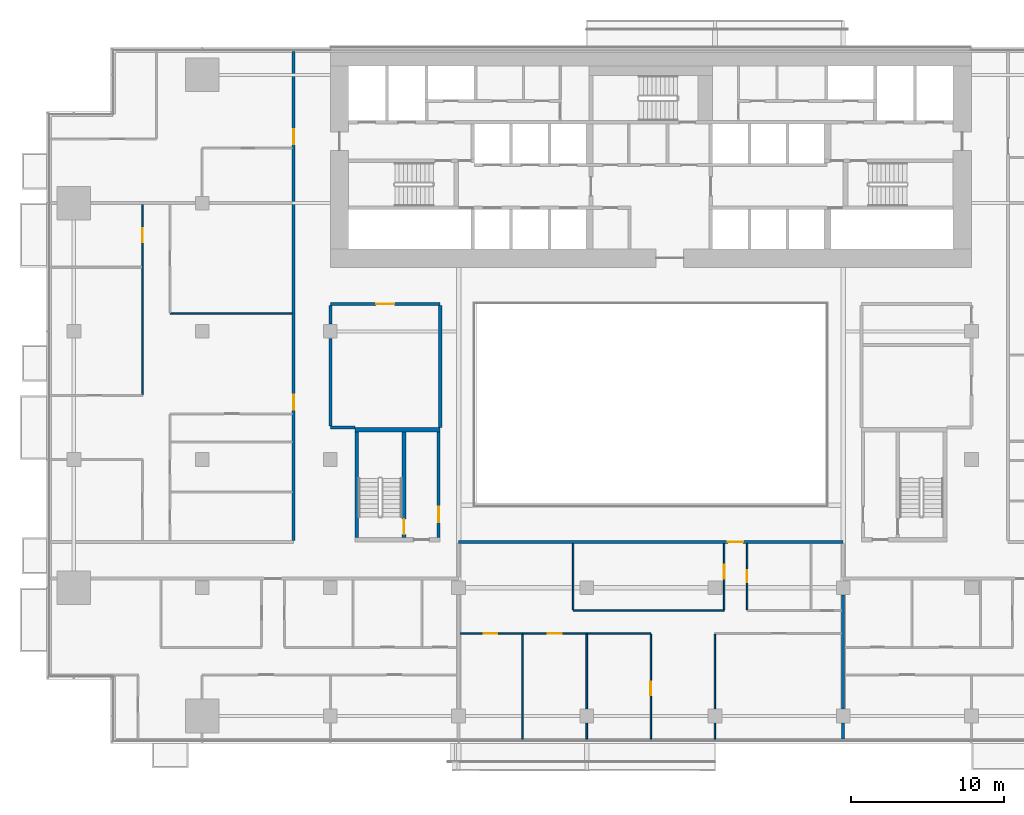
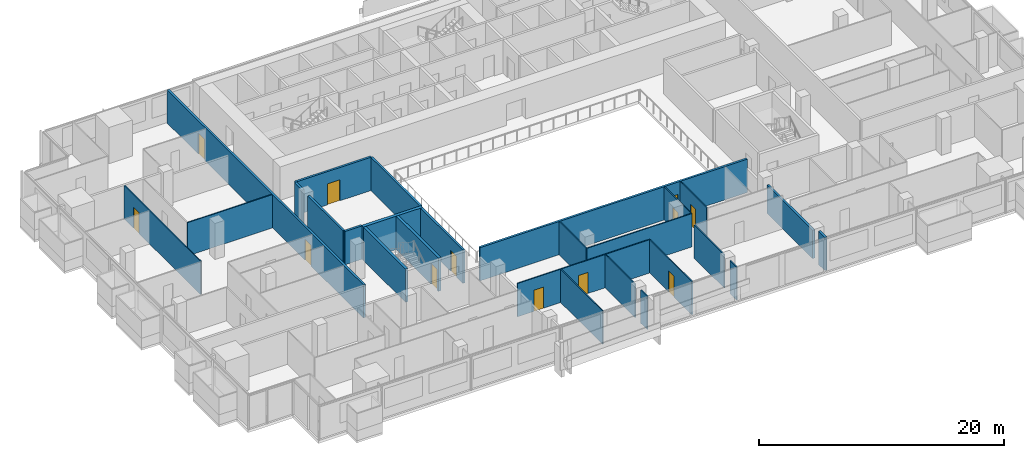
# One storey, part 19 of 27: 26 walls, 12 doors, 12 openings.
"""IFC4 building model written with IfcOpenShell, lengths in metres."""

from ifc_helpers import new_model, si_unit, direction, frame, frame_2d, origin, place, context, subcontext, project, spatial, rectangle, extrude, material, layer, layer_set, type_object, element, fill, save


model = new_model("IFC4")

# Units and contexts
model_context = context("Model", 3, precision=1e-05, world=origin(), true_north=direction((0.0, 1.0)))
body_context = subcontext(model_context, "Body", "Model", "MODEL_VIEW")
ifc_project = project(units=[si_unit("LENGTHUNIT", "METRE"), si_unit("AREAUNIT", "SQUARE_METRE"), si_unit("VOLUMEUNIT", "CUBIC_METRE"), si_unit("PLANEANGLEUNIT", "RADIAN"), si_unit("MASSUNIT", "GRAM", prefix="KILO")], contexts=[model_context])

# Site, building, storey
site_placement = place(None, origin())
site = spatial("IfcSite", under=ifc_project, at=site_placement, CompositionType="ELEMENT")
building_placement = place(site_placement, origin())
building = spatial("IfcBuilding", under=site, at=building_placement, Name="Saffron Gate Tower", CompositionType="ELEMENT")
storey_placement = place(building_placement, frame((0.0, 0.0, 40.800048828125)))
storey = spatial("IfcBuildingStorey", under=building, at=storey_placement, Name="L08", CompositionType="ELEMENT", Elevation=40.800048828125)

# Wall, opening, door
ifc_material_1 = material(Name="Gypsum board partition on steel studs", Category="steel")
ifc_layer_1 = layer(ifc_material_1, 0.199951171875)
ifc_layer_set_1 = layer_set([ifc_layer_1], Name="CW10 Core partition 200")
wall_type_1 = type_object("IfcWallType", Name="CW10 Core partition 200", PredefinedType="PARTITIONING", material=ifc_layer_set_1)
wall_1_placement = place(storey_placement, frame((73.699951171875, 43.5, 0.0), z_axis=(0.0, 0.0, 1.0), x_axis=(0.0, 1.0, 0.0)))
wall_1 = element("IfcWall", 1, at=wall_1_placement, inside=storey, type_object=wall_type_1, Name="Wall CW10-L08-D-4", PredefinedType="PARTITIONING", context=body_context, shape_type="SweptSolid", body=[
    extrude(rectangle(XDim=6.89990234375, YDim=0.199951171875, at=frame_2d((3.449951171875, 0.0))), origin(), (0.0, 0.0, 1.0), 3.320068359375),
])
opening_1_placement = place(wall_1_placement, frame((1.0, 0.0, 0.0)))
opening_1 = element("IfcOpeningElement", 2, at=opening_1_placement, cuts=wall_1, Name="Opening CR-19", PredefinedType="OPENING", context=body_context, shape_type="SweptSolid", body=[
    extrude(rectangle(XDim=1.0, YDim=2.10009765625, at=frame_2d((0.5, 1.050048828125))), frame((0.0, 0.10986328125, 0.0), z_axis=(0.0, -1.0, 0.0), x_axis=(1.0, 0.0, 0.0)), (0.0, 0.0, 1.0), 0.219970703125),
])
ifc_material_2 = material(Name="Steel fire door set", Category="steel")
door_type_1 = type_object("IfcDoorType", Name="CD4 Lobby door 1000x2100 EI 120", OperationType="NOTDEFINED", PredefinedType="DOOR", material=ifc_material_2)
door_1_placement = place(opening_1_placement, origin())
door_1 = element("IfcDoor", 3, at=door_1_placement, inside=storey, type_object=door_type_1, Name="DOOR CR-19", OperationType="SINGLE_SWING_RIGHT", OverallHeight=2.10009765625, OverallWidth=1.0, PredefinedType="DOOR", context=body_context, shape_type="SweptSolid", body=[
    extrude(rectangle(XDim=1.0, YDim=2.10009765625, at=frame_2d((0.5, 1.050048828125))), frame((0.0, 0.02490234375, 0.0), z_axis=(0.0, -1.0, 0.0), x_axis=(1.0, 0.0, 0.0)), (0.0, 0.0, 1.0), 0.050048828125),
])
fill(opening_1, door_1)

# Wall
ifc_material_3 = material(Name="Concrete C70", Category="concrete")
ifc_layer_2 = layer(ifc_material_3, 0.25)
ifc_layer_set_2 = layer_set([ifc_layer_2], Name="CW2 RC core wall 250 C70")
wall_type_2 = type_object("IfcWallType", Name="CW2 RC core wall 250 C70", PredefinedType="SOLIDWALL", material=ifc_layer_set_2)
wall_2_placement = place(storey_placement, frame((68.324951171875, 43.5, 0.0), z_axis=(0.0, 0.0, 1.0), x_axis=(0.0, 1.0, 0.0)))
element("IfcWall", 4, at=wall_2_placement, inside=storey, type_object=wall_type_2, Name="Wall CW2-L08-D-2", PredefinedType="SOLIDWALL", context=body_context, shape_type="SweptSolid", body=[
    extrude(rectangle(XDim=6.89990234375, YDim=0.25, at=frame_2d((3.449951171875, 0.0))), origin(), (0.0, 0.0, 1.0), 3.320068359375),
])

# Wall, opening, door
wall_3_placement = place(storey_placement, frame((71.425048828125, 43.5, 0.0), z_axis=(0.0, 0.0, 1.0), x_axis=(0.0, 1.0, 0.0)))
wall_3 = element("IfcWall", 5, at=wall_3_placement, inside=storey, type_object=wall_type_2, Name="Wall CW2-L08-D-3", PredefinedType="SOLIDWALL", context=body_context, shape_type="SweptSolid", body=[
    extrude(rectangle(XDim=6.89990234375, YDim=0.25, at=frame_2d((3.449951171875, 0.0))), origin(), (0.0, 0.0, 1.0), 3.320068359375),
])
opening_2_placement = place(wall_3_placement, frame((0.199951171875, 0.0, 0.0)))
opening_2 = element("IfcOpeningElement", 6, at=opening_2_placement, cuts=wall_3, Name="Opening CR-20", PredefinedType="OPENING", context=body_context, shape_type="SweptSolid", body=[
    extrude(rectangle(XDim=1.0, YDim=2.10009765625, at=frame_2d((0.5, 1.050048828125))), frame((0.0, 0.135009765625, 0.0), z_axis=(0.0, -1.0, 0.0), x_axis=(1.0, 0.0, 0.0)), (0.0, 0.0, 1.0), 0.27001953125),
])
door_type_2 = type_object("IfcDoorType", Name="CD5 Stair door 1000x2100 EI 120", OperationType="NOTDEFINED", PredefinedType="DOOR", material=ifc_material_2)
door_2_placement = place(opening_2_placement, origin())
door_2 = element("IfcDoor", 7, at=door_2_placement, inside=storey, type_object=door_type_2, Name="DOOR CR-20", OperationType="SINGLE_SWING_LEFT", OverallHeight=2.10009765625, OverallWidth=1.0, PredefinedType="DOOR", context=body_context, shape_type="SweptSolid", body=[
    extrude(rectangle(XDim=1.0, YDim=2.10009765625, at=frame_2d((0.5, 1.050048828125))), frame((0.0, 0.02490234375, 0.0), z_axis=(0.0, -1.0, 0.0), x_axis=(1.0, 0.0, 0.0)), (0.0, 0.0, 1.0), 0.050048828125),
])
fill(opening_2, door_2)

# Wall
ifc_layer_3 = layer(ifc_material_3, 0.300048828125)
ifc_layer_set_3 = layer_set([ifc_layer_3], Name="CW5 RC core wall 300 C70")
wall_type_3 = type_object("IfcWallType", Name="CW5 RC core wall 300 C70", PredefinedType="SOLIDWALL", material=ifc_layer_set_3)
wall_4_placement = place(storey_placement, frame((68.199951171875, 50.550048828125, 0.0), z_axis=(0.0, 0.0, 1.0), x_axis=(1.0, 0.0, 0.0)))
element("IfcWall", 8, at=wall_4_placement, inside=storey, type_object=wall_type_3, Name="Wall CW5-L08-D-5", PredefinedType="SOLIDWALL", context=body_context, shape_type="SweptSolid", body=[
    extrude(rectangle(XDim=5.60009765625, YDim=0.300048828125, at=frame_2d((2.800048828125, 0.0))), origin(), (0.0, 0.0, 1.0), 3.320068359375),
])

# Wall, openings, doors
ifc_material_4 = material(Name="Plasterboard on steel studs", Category="steel")
ifc_layer_4 = layer(ifc_material_4, 0.10009765625)
ifc_layer_set_4 = layer_set([ifc_layer_4], Name="PW1 Partition 100")
wall_type_4 = type_object("IfcWallType", Name="PW1 Partition 100", PredefinedType="PARTITIONING", material=ifc_layer_set_4)
wall_5_placement = place(storey_placement, frame((87.60009765625, 37.199951171875, 0.0), z_axis=(0.0, 0.0, 1.0), x_axis=(-1.0, 0.0, 0.0)))
wall_5 = element("IfcWall", 9, at=wall_5_placement, inside=storey, type_object=wall_type_4, Name="Partition A1-9", PredefinedType="PARTITIONING", context=body_context, shape_type="SweptSolid", body=[
    extrude(rectangle(XDim=12.5, YDim=0.10009765625, at=frame_2d((6.25, 0.0))), origin(), (0.0, 0.0, 1.0), 3.320068359375),
])
opening_3_placement = place(wall_5_placement, frame((5.85009765625, 0.0, 0.0)))
opening_3 = element("IfcOpeningElement", 10, at=opening_3_placement, cuts=wall_5, Name="Opening A1-14", PredefinedType="OPENING", context=body_context, shape_type="SweptSolid", body=[
    extrude(rectangle(XDim=0.89990234375, YDim=2.10009765625, at=frame_2d((0.449951171875, 1.050048828125))), frame((0.0, 0.06005859375, 0.0), z_axis=(0.0, -1.0, 0.0), x_axis=(1.0, 0.0, 0.0)), (0.0, 0.0, 1.0), 0.1201171875),
])
opening_4_placement = place(wall_5_placement, frame((10.050048828125, 0.0, 0.0)))
opening_4 = element("IfcOpeningElement", 11, at=opening_4_placement, cuts=wall_5, Name="Opening A1-13", PredefinedType="OPENING", context=body_context, shape_type="SweptSolid", body=[
    extrude(rectangle(XDim=0.89990234375, YDim=2.10009765625, at=frame_2d((0.449951171875, 1.050048828125))), frame((0.0, 0.06005859375, 0.0), z_axis=(0.0, -1.0, 0.0), x_axis=(1.0, 0.0, 0.0)), (0.0, 0.0, 1.0), 0.1201171875),
])
ifc_material_5 = material(Name="Timber door set", Category="wood")
door_type_3 = type_object("IfcDoorType", Name="RD1 Room door 900x2100", OperationType="NOTDEFINED", PredefinedType="DOOR", material=ifc_material_5)
door_3_placement = place(opening_3_placement, origin())
door_3 = element("IfcDoor", 12, at=door_3_placement, inside=storey, type_object=door_type_3, Name="Door A1-14", OperationType="SINGLE_SWING_RIGHT", OverallHeight=2.10009765625, OverallWidth=0.89990234375, PredefinedType="DOOR", context=body_context, shape_type="SweptSolid", body=[
    extrude(rectangle(XDim=0.89990234375, YDim=2.10009765625, at=frame_2d((0.449951171875, 1.050048828125))), frame((0.0, 0.02490234375, 0.0), z_axis=(0.0, -1.0, 0.0), x_axis=(1.0, 0.0, 0.0)), (0.0, 0.0, 1.0), 0.050048828125),
])
fill(opening_3, door_3)
door_4_placement = place(opening_4_placement, origin())
door_4 = element("IfcDoor", 13, at=door_4_placement, inside=storey, type_object=door_type_3, Name="Door A1-13", OperationType="SINGLE_SWING_RIGHT", OverallHeight=2.10009765625, OverallWidth=0.89990234375, PredefinedType="DOOR", context=body_context, shape_type="SweptSolid", body=[
    extrude(rectangle(XDim=0.89990234375, YDim=2.10009765625, at=frame_2d((0.449951171875, 1.050048828125))), frame((0.0, 0.02490234375, 0.0), z_axis=(0.0, -1.0, 0.0), x_axis=(1.0, 0.0, 0.0)), (0.0, 0.0, 1.0), 0.050048828125),
])
fill(opening_4, door_4)

# Walls
wall_6_placement = place(storey_placement, frame((82.5, 38.699951171875, 0.0), z_axis=(0.0, 0.0, 1.0), x_axis=(1.0, 0.0, 0.0)))
element("IfcWall", 14, at=wall_6_placement, inside=storey, type_object=wall_type_4, Name="Partition A1-11", PredefinedType="PARTITIONING", context=body_context, shape_type="SweptSolid", body=[
    extrude(rectangle(XDim=9.89990234375, YDim=0.10009765625, at=frame_2d((4.949951171875, 0.0))), origin(), (0.0, 0.0, 1.0), 3.320068359375),
])
wall_7_placement = place(storey_placement, frame((56.10009765625, 58.16162109375, 0.0), z_axis=(0.0, 0.0, 1.0), x_axis=(1.0, 0.0, 0.0)))
element("IfcWall", 15, at=wall_7_placement, inside=storey, type_object=wall_type_4, Name="Partition A1-37", PredefinedType="PARTITIONING", context=body_context, shape_type="SweptSolid", body=[
    extrude(rectangle(XDim=8.0, YDim=0.10009765625, at=frame_2d((4.0, 0.0))), origin(), (0.0, 0.0, 1.0), 3.320068359375),
])

# Wall, opening, door
wall_8_placement = place(storey_placement, frame((54.300048828125, 52.85009765625, 0.0), z_axis=(0.0, 0.0, 1.0), x_axis=(0.0, 1.0, 0.0)))
wall_8 = element("IfcWall", 16, at=wall_8_placement, inside=storey, type_object=wall_type_4, Name="Partition A1-54", PredefinedType="PARTITIONING", context=body_context, shape_type="SweptSolid", body=[
    extrude(rectangle(XDim=12.449951171875, YDim=0.10009765625, at=frame_2d((6.22509765625, 0.0))), origin(), (0.0, 0.0, 1.0), 3.320068359375),
])
opening_5_placement = place(wall_8_placement, frame((10.0, 0.0, 0.0)))
opening_5 = element("IfcOpeningElement", 17, at=opening_5_placement, cuts=wall_8, Name="Opening A1-25", PredefinedType="OPENING", context=body_context, shape_type="SweptSolid", body=[
    extrude(rectangle(XDim=0.89990234375, YDim=2.10009765625, at=frame_2d((0.449951171875, 1.050048828125))), frame((0.0, 0.06005859375, 0.0), z_axis=(0.0, -1.0, 0.0), x_axis=(1.0, 0.0, 0.0)), (0.0, 0.0, 1.0), 0.1201171875),
])
door_5_placement = place(opening_5_placement, origin())
door_5 = element("IfcDoor", 18, at=door_5_placement, inside=storey, type_object=door_type_3, Name="Door A1-25", OperationType="SINGLE_SWING_RIGHT", OverallHeight=2.10009765625, OverallWidth=0.89990234375, PredefinedType="DOOR", context=body_context, shape_type="SweptSolid", body=[
    extrude(rectangle(XDim=0.89990234375, YDim=2.10009765625, at=frame_2d((0.449951171875, 1.050048828125))), frame((0.0, 0.02490234375, 0.0), z_axis=(0.0, -1.0, 0.0), x_axis=(1.0, 0.0, 0.0)), (0.0, 0.0, 1.0), 0.050048828125),
])
fill(opening_5, door_5)

# Walls
wall_9_placement = place(storey_placement, frame((79.199951171875, 37.14990234375, 0.0), z_axis=(0.0, 0.0, 1.0), x_axis=(0.0, -1.0, 0.0)))
element("IfcWall", 19, at=wall_9_placement, inside=storey, type_object=wall_type_4, Name="Partition A1-75", PredefinedType="PARTITIONING", context=body_context, shape_type="SweptSolid", body=[
    extrude(rectangle(XDim=6.869873046875, YDim=0.10009765625, at=frame_2d((3.43505859375, 0.0))), origin(), (0.0, 0.0, 1.0), 3.320068359375),
])
wall_10_placement = place(storey_placement, frame((82.5, 43.10009765625, 0.0), z_axis=(0.0, 0.0, 1.0), x_axis=(0.0, -1.0, 0.0)))
element("IfcWall", 20, at=wall_10_placement, inside=storey, type_object=wall_type_4, Name="Partition A1-76", PredefinedType="PARTITIONING", context=body_context, shape_type="SweptSolid", body=[
    extrude(rectangle(XDim=4.35009765625, YDim=0.10009765625, at=frame_2d((2.175048828125, 0.0))), origin(), (0.0, 0.0, 1.0), 3.320068359375),
])
wall_11_placement = place(storey_placement, frame((83.39990234375, 31.330078125, 0.0), z_axis=(0.0, 0.0, 1.0), x_axis=(0.0, -1.0, 0.0)))
element("IfcWall", 21, at=wall_11_placement, inside=storey, type_object=wall_type_4, Name="Partition A1-77", PredefinedType="PARTITIONING", context=body_context, shape_type="SweptSolid", body=[
    extrude(rectangle(XDim=1.050048828125, YDim=0.10009765625, at=frame_2d((0.52490234375, 0.0))), origin(), (0.0, 0.0, 1.0), 3.320068359375),
])
wall_12_placement = place(storey_placement, frame((83.39990234375, 37.14990234375, 0.0), z_axis=(0.0, 0.0, 1.0), x_axis=(0.0, -1.0, 0.0)))
element("IfcWall", 22, at=wall_12_placement, inside=storey, type_object=wall_type_4, Name="Partition A1-78", PredefinedType="PARTITIONING", context=body_context, shape_type="SweptSolid", body=[
    extrude(rectangle(XDim=4.8798828125, YDim=0.10009765625, at=frame_2d((2.43994140625, 0.0))), origin(), (0.0, 0.0, 1.0), 3.320068359375),
])

# Wall, opening, door
wall_13_placement = place(storey_placement, frame((87.60009765625, 30.280029296875, 0.0), z_axis=(0.0, 0.0, 1.0), x_axis=(0.0, 1.0, 0.0)))
wall_13 = element("IfcWall", 23, at=wall_13_placement, inside=storey, type_object=wall_type_4, Name="Partition A1-79", PredefinedType="PARTITIONING", context=body_context, shape_type="SweptSolid", body=[
    extrude(rectangle(XDim=6.869873046875, YDim=0.10009765625, at=frame_2d((3.43505859375, 0.0))), origin(), (0.0, 0.0, 1.0), 3.320068359375),
])
opening_6_placement = place(wall_13_placement, frame((2.8701171875, 0.0, 0.0)))
opening_6 = element("IfcOpeningElement", 24, at=opening_6_placement, cuts=wall_13, Name="Opening A1-15", PredefinedType="OPENING", context=body_context, shape_type="SweptSolid", body=[
    extrude(rectangle(XDim=0.89990234375, YDim=2.10009765625, at=frame_2d((0.449951171875, 1.050048828125))), frame((0.0, 0.06005859375, 0.0), z_axis=(0.0, -1.0, 0.0), x_axis=(1.0, 0.0, 0.0)), (0.0, 0.0, 1.0), 0.1201171875),
])
door_6_placement = place(opening_6_placement, origin())
door_6 = element("IfcDoor", 25, at=door_6_placement, inside=storey, type_object=door_type_3, Name="Door A1-15", OperationType="SINGLE_SWING_LEFT", OverallHeight=2.10009765625, OverallWidth=0.89990234375, PredefinedType="DOOR", context=body_context, shape_type="SweptSolid", body=[
    extrude(rectangle(XDim=0.89990234375, YDim=2.10009765625, at=frame_2d((0.449951171875, 1.050048828125))), frame((0.0, 0.02490234375, 0.0), z_axis=(0.0, -1.0, 0.0), x_axis=(1.0, 0.0, 0.0)), (0.0, 0.0, 1.0), 0.050048828125),
])
fill(opening_6, door_6)

# Walls
wall_14_placement = place(storey_placement, frame((91.800048828125, 31.330078125, 0.0), z_axis=(0.0, 0.0, 1.0), x_axis=(0.0, -1.0, 0.0)))
element("IfcWall", 26, at=wall_14_placement, inside=storey, type_object=wall_type_4, Name="Partition A1-80", PredefinedType="PARTITIONING", context=body_context, shape_type="SweptSolid", body=[
    extrude(rectangle(XDim=1.050048828125, YDim=0.10009765625, at=frame_2d((0.52490234375, 0.0))), origin(), (0.0, 0.0, 1.0), 3.320068359375),
])
wall_15_placement = place(storey_placement, frame((91.800048828125, 37.14990234375, 0.0), z_axis=(0.0, 0.0, 1.0), x_axis=(0.0, -1.0, 0.0)))
element("IfcWall", 27, at=wall_15_placement, inside=storey, type_object=wall_type_4, Name="Partition A1-81", PredefinedType="PARTITIONING", context=body_context, shape_type="SweptSolid", body=[
    extrude(rectangle(XDim=4.8798828125, YDim=0.10009765625, at=frame_2d((2.43994140625, 0.0))), origin(), (0.0, 0.0, 1.0), 3.320068359375),
])

# Wall, opening, door
wall_16_placement = place(storey_placement, frame((92.39990234375, 38.75, 0.0), z_axis=(0.0, 0.0, 1.0), x_axis=(0.0, 1.0, 0.0)))
wall_16 = element("IfcWall", 28, at=wall_16_placement, inside=storey, type_object=wall_type_4, Name="Partition A1-82", PredefinedType="PARTITIONING", context=body_context, shape_type="SweptSolid", body=[
    extrude(rectangle(XDim=4.35009765625, YDim=0.10009765625, at=frame_2d((2.175048828125, 0.0))), origin(), (0.0, 0.0, 1.0), 3.320068359375),
])
opening_7_placement = place(wall_16_placement, frame((2.050048828125, 0.0, 0.0)))
opening_7 = element("IfcOpeningElement", 29, at=opening_7_placement, cuts=wall_16, Name="Opening A1-17", PredefinedType="OPENING", context=body_context, shape_type="SweptSolid", body=[
    extrude(rectangle(XDim=0.89990234375, YDim=2.10009765625, at=frame_2d((0.449951171875, 1.050048828125))), frame((0.0, 0.06005859375, 0.0), z_axis=(0.0, -1.0, 0.0), x_axis=(1.0, 0.0, 0.0)), (0.0, 0.0, 1.0), 0.1201171875),
])
door_7_placement = place(opening_7_placement, origin())
door_7 = element("IfcDoor", 30, at=door_7_placement, inside=storey, type_object=door_type_3, Name="Door A1-17", OperationType="SINGLE_SWING_RIGHT", OverallHeight=2.10009765625, OverallWidth=0.89990234375, PredefinedType="DOOR", context=body_context, shape_type="SweptSolid", body=[
    extrude(rectangle(XDim=0.89990234375, YDim=2.10009765625, at=frame_2d((0.449951171875, 1.050048828125))), frame((0.0, 0.02490234375, 0.0), z_axis=(0.0, -1.0, 0.0), x_axis=(1.0, 0.0, 0.0)), (0.0, 0.0, 1.0), 0.050048828125),
])
fill(opening_7, door_7)

wall_17_placement = place(storey_placement, frame((93.89990234375, 43.10009765625, 0.0), z_axis=(0.0, 0.0, 1.0), x_axis=(0.0, -1.0, 0.0)))
wall_17 = element("IfcWall", 31, at=wall_17_placement, inside=storey, type_object=wall_type_4, Name="Partition A1-83", PredefinedType="PARTITIONING", context=body_context, shape_type="SweptSolid", body=[
    extrude(rectangle(XDim=4.35009765625, YDim=0.10009765625, at=frame_2d((2.175048828125, 0.0))), origin(), (0.0, 0.0, 1.0), 3.320068359375),
])
opening_8_placement = place(wall_17_placement, frame((1.75, 0.0, 0.0)))
opening_8 = element("IfcOpeningElement", 32, at=opening_8_placement, cuts=wall_17, Name="Opening A1-38", PredefinedType="OPENING", context=body_context, shape_type="SweptSolid", body=[
    extrude(rectangle(XDim=0.800048828125, YDim=2.10009765625, at=frame_2d((0.39990234375, 1.050048828125))), frame((0.0, 0.06005859375, 0.0), z_axis=(0.0, -1.0, 0.0), x_axis=(1.0, 0.0, 0.0)), (0.0, 0.0, 1.0), 0.1201171875),
])
door_type_4 = type_object("IfcDoorType", Name="RD2 Bathroom door 800x2100", OperationType="NOTDEFINED", PredefinedType="DOOR", material=ifc_material_5)
door_8_placement = place(opening_8_placement, origin())
door_8 = element("IfcDoor", 33, at=door_8_placement, inside=storey, type_object=door_type_4, Name="Door A1-38", OperationType="SINGLE_SWING_LEFT", OverallHeight=2.10009765625, OverallWidth=0.800048828125, PredefinedType="DOOR", context=body_context, shape_type="SweptSolid", body=[
    extrude(rectangle(XDim=0.800048828125, YDim=2.10009765625, at=frame_2d((0.39990234375, 1.050048828125))), frame((0.0, 0.02490234375, 0.0), z_axis=(0.0, -1.0, 0.0), x_axis=(1.0, 0.0, 0.0)), (0.0, 0.0, 1.0), 0.050048828125),
])
fill(opening_8, door_8)

# Walls
ifc_material_6 = material(Name="Clay brick masonry, rendered", Category="masonry")
ifc_layer_5 = layer(ifc_material_6, 0.199951171875)
ifc_layer_set_5 = layer_set([ifc_layer_5], Name="PW2 Demising wall 200")
wall_type_5 = type_object("IfcWallType", Name="PW2 Demising wall 200", PredefinedType="PARTITIONING", material=ifc_layer_set_5)
wall_18_placement = place(storey_placement, frame((100.199951171875, 31.330078125, 0.0), z_axis=(0.0, 0.0, 1.0), x_axis=(0.0, -1.0, 0.0)))
element("IfcWall", 34, at=wall_18_placement, inside=storey, type_object=wall_type_5, Name="Wall A1-86", PredefinedType="PARTITIONING", context=body_context, shape_type="SweptSolid", body=[
    extrude(rectangle(XDim=1.050048828125, YDim=0.199951171875, at=frame_2d((0.52490234375, 0.0))), origin(), (0.0, 0.0, 1.0), 3.320068359375),
])
wall_19_placement = place(storey_placement, frame((100.199951171875, 39.72998046875, 0.0), z_axis=(0.0, 0.0, 1.0), x_axis=(0.0, -1.0, 0.0)))
element("IfcWall", 35, at=wall_19_placement, inside=storey, type_object=wall_type_5, Name="Wall A1-87", PredefinedType="PARTITIONING", context=body_context, shape_type="SweptSolid", body=[
    extrude(rectangle(XDim=7.4599609375, YDim=0.199951171875, at=frame_2d((3.72998046875, 0.0))), origin(), (0.0, 0.0, 1.0), 2.829833984375),
])

# Wall, opening, door
ifc_layer_6 = layer(ifc_material_6, 0.199951171875)
ifc_layer_set_6 = layer_set([ifc_layer_6], Name="PW3 Corridor wall 200")
wall_type_6 = type_object("IfcWallType", Name="PW3 Corridor wall 200", PredefinedType="PARTITIONING", material=ifc_layer_set_6)
wall_20_placement = place(storey_placement, frame((100.199951171875, 43.199951171875, 0.0), z_axis=(0.0, 0.0, 1.0), x_axis=(-1.0, 0.0, 0.0)))
wall_20 = element("IfcWall", 36, at=wall_20_placement, inside=storey, type_object=wall_type_6, Name="Wall A1-18", PredefinedType="PARTITIONING", context=body_context, shape_type="SweptSolid", body=[
    extrude(rectangle(XDim=25.199951171875, YDim=0.199951171875, at=frame_2d((12.60009765625, 0.0))), origin(), (0.0, 0.0, 1.0), 3.320068359375),
])
opening_9_placement = place(wall_20_placement, frame((6.550048828125, 0.0, 0.0)))
opening_9 = element("IfcOpeningElement", 37, at=opening_9_placement, cuts=wall_20, Name="Opening A1-2", PredefinedType="OPENING", context=body_context, shape_type="SweptSolid", body=[
    extrude(rectangle(XDim=1.0, YDim=2.10009765625, at=frame_2d((0.5, 1.050048828125))), frame((0.0, 0.10986328125, 0.0), z_axis=(0.0, -1.0, 0.0), x_axis=(1.0, 0.0, 0.0)), (0.0, 0.0, 1.0), 0.219970703125),
])
ifc_material_7 = material(Name="Timber fire door set", Category="wood")
door_type_5 = type_object("IfcDoorType", Name="FD1 Flat entry door 1000x2100", OperationType="NOTDEFINED", PredefinedType="DOOR", material=ifc_material_7)
door_9_placement = place(opening_9_placement, origin())
door_9 = element("IfcDoor", 38, at=door_9_placement, inside=storey, type_object=door_type_5, Name="Door A1-2", OperationType="SINGLE_SWING_RIGHT", OverallHeight=2.10009765625, OverallWidth=1.0, PredefinedType="DOOR", context=body_context, shape_type="SweptSolid", body=[
    extrude(rectangle(XDim=1.0, YDim=2.10009765625, at=frame_2d((0.5, 1.050048828125))), frame((0.0, 0.02490234375, 0.0), z_axis=(0.0, -1.0, 0.0), x_axis=(1.0, 0.0, 0.0)), (0.0, 0.0, 1.0), 0.050048828125),
])
fill(opening_9, door_9)

# Wall
wall_21_placement = place(storey_placement, frame((66.60009765625, 50.699951171875, 0.0), z_axis=(0.0, 0.0, 1.0), x_axis=(1.0, 0.0, 0.0)))
element("IfcWall", 39, at=wall_21_placement, inside=storey, type_object=wall_type_6, Name="Wall A1-30", PredefinedType="PARTITIONING", context=body_context, shape_type="SweptSolid", body=[
    extrude(rectangle(XDim=1.599853515625, YDim=0.199951171875, at=frame_2d((0.7998046875, 0.0))), origin(), (0.0, 0.0, 1.0), 3.320068359375),
])

# Wall, opening, door
wall_22_placement = place(storey_placement, frame((73.800048828125, 58.800048828125, 0.0), z_axis=(0.0, 0.0, 1.0), x_axis=(-1.0, 0.0, 0.0)))
wall_22 = element("IfcWall", 40, at=wall_22_placement, inside=storey, type_object=wall_type_6, Name="Wall A1-38", PredefinedType="PARTITIONING", context=body_context, shape_type="SweptSolid", body=[
    extrude(rectangle(XDim=7.199951171875, YDim=0.199951171875, at=frame_2d((3.60009765625, 0.0))), origin(), (0.0, 0.0, 1.0), 3.320068359375),
])
opening_10_placement = place(wall_22_placement, frame((3.0, 0.0, 0.0)))
opening_10 = element("IfcOpeningElement", 41, at=opening_10_placement, cuts=wall_22, Name="Opening A1-49", PredefinedType="OPENING", context=body_context, shape_type="SweptSolid", body=[
    extrude(rectangle(XDim=1.199951171875, YDim=2.10009765625, at=frame_2d((0.60009765625, 1.050048828125))), frame((0.0, 0.10986328125, 0.0), z_axis=(0.0, -1.0, 0.0), x_axis=(1.0, 0.0, 0.0)), (0.0, 0.0, 1.0), 0.219970703125),
])
door_type_6 = type_object("IfcDoorType", Name="HD1 Hall door 1200x2100", OperationType="NOTDEFINED", PredefinedType="DOOR", material=ifc_material_5)
door_10_placement = place(opening_10_placement, origin())
door_10 = element("IfcDoor", 42, at=door_10_placement, inside=storey, type_object=door_type_6, Name="Door A1-49", OperationType="SINGLE_SWING_LEFT", OverallHeight=2.10009765625, OverallWidth=1.199951171875, PredefinedType="DOOR", context=body_context, shape_type="SweptSolid", body=[
    extrude(rectangle(XDim=1.199951171875, YDim=2.10009765625, at=frame_2d((0.60009765625, 1.050048828125))), frame((0.0, 0.02490234375, 0.0), z_axis=(0.0, -1.0, 0.0), x_axis=(1.0, 0.0, 0.0)), (0.0, 0.0, 1.0), 0.050048828125),
])
fill(opening_10, door_10)

# Wall, openings, doors
wall_23_placement = place(storey_placement, frame((64.199951171875, 43.300048828125, 0.0), z_axis=(0.0, 0.0, 1.0), x_axis=(0.0, 1.0, 0.0)))
wall_23 = element("IfcWall", 43, at=wall_23_placement, inside=storey, type_object=wall_type_6, Name="Wall A1-64", PredefinedType="PARTITIONING", context=body_context, shape_type="SweptSolid", body=[
    extrude(rectangle(XDim=32.02001953125, YDim=0.199951171875, at=frame_2d((16.010009765625, 0.0))), origin(), (0.0, 0.0, 1.0), 3.320068359375),
])
opening_11_placement = place(wall_23_placement, frame((8.550048828125, 0.0, 0.0)))
opening_11 = element("IfcOpeningElement", 44, at=opening_11_placement, cuts=wall_23, Name="Opening A1-4", PredefinedType="OPENING", context=body_context, shape_type="SweptSolid", body=[
    extrude(rectangle(XDim=1.0, YDim=2.10009765625, at=frame_2d((0.5, 1.050048828125))), frame((0.0, 0.10986328125, 0.0), z_axis=(0.0, -1.0, 0.0), x_axis=(1.0, 0.0, 0.0)), (0.0, 0.0, 1.0), 0.219970703125),
])
opening_12_placement = place(wall_23_placement, frame((25.949951171875, 0.0, 0.0)))
opening_12 = element("IfcOpeningElement", 45, at=opening_12_placement, cuts=wall_23, Name="Opening A1-5", PredefinedType="OPENING", context=body_context, shape_type="SweptSolid", body=[
    extrude(rectangle(XDim=1.0, YDim=2.10009765625, at=frame_2d((0.5, 1.050048828125))), frame((0.0, 0.10986328125, 0.0), z_axis=(0.0, -1.0, 0.0), x_axis=(1.0, 0.0, 0.0)), (0.0, 0.0, 1.0), 0.219970703125),
])
door_11_placement = place(opening_11_placement, origin())
door_11 = element("IfcDoor", 46, at=door_11_placement, inside=storey, type_object=door_type_5, Name="Door A1-4", OperationType="SINGLE_SWING_RIGHT", OverallHeight=2.10009765625, OverallWidth=1.0, PredefinedType="DOOR", context=body_context, shape_type="SweptSolid", body=[
    extrude(rectangle(XDim=1.0, YDim=2.10009765625, at=frame_2d((0.5, 1.050048828125))), frame((0.0, 0.02490234375, 0.0), z_axis=(0.0, -1.0, 0.0), x_axis=(1.0, 0.0, 0.0)), (0.0, 0.0, 1.0), 0.050048828125),
])
fill(opening_11, door_11)
door_12_placement = place(opening_12_placement, origin())
door_12 = element("IfcDoor", 47, at=door_12_placement, inside=storey, type_object=door_type_5, Name="Door A1-5", OperationType="SINGLE_SWING_LEFT", OverallHeight=2.10009765625, OverallWidth=1.0, PredefinedType="DOOR", context=body_context, shape_type="SweptSolid", body=[
    extrude(rectangle(XDim=1.0, YDim=2.10009765625, at=frame_2d((0.5, 1.050048828125))), frame((0.0, 0.02490234375, 0.0), z_axis=(0.0, -1.0, 0.0), x_axis=(1.0, 0.0, 0.0)), (0.0, 0.0, 1.0), 0.050048828125),
])
fill(opening_12, door_12)

# Walls
wall_24_placement = place(storey_placement, frame((66.60009765625, 56.530029296875, 0.0), z_axis=(0.0, 0.0, 1.0), x_axis=(0.0, -1.0, 0.0)))
element("IfcWall", 48, at=wall_24_placement, inside=storey, type_object=wall_type_6, Name="Wall A1-65", PredefinedType="PARTITIONING", context=body_context, shape_type="SweptSolid", body=[
    extrude(rectangle(XDim=5.72998046875, YDim=0.199951171875, at=frame_2d((2.864990234375, 0.0))), origin(), (0.0, 0.0, 1.0), 3.320068359375),
])
wall_25_placement = place(storey_placement, frame((66.60009765625, 58.699951171875, 0.0), z_axis=(0.0, 0.0, 1.0), x_axis=(0.0, -1.0, 0.0)))
element("IfcWall", 49, at=wall_25_placement, inside=storey, type_object=wall_type_6, Name="Wall A1-66", PredefinedType="PARTITIONING", context=body_context, shape_type="SweptSolid", body=[
    extrude(rectangle(XDim=1.22998046875, YDim=0.199951171875, at=frame_2d((0.614990234375, 0.0))), origin(), (0.0, 0.0, 1.0), 3.320068359375),
])
wall_26_placement = place(storey_placement, frame((73.800048828125, 58.699951171875, 0.0), z_axis=(0.0, 0.0, 1.0), x_axis=(0.0, -1.0, 0.0)))
element("IfcWall", 50, at=wall_26_placement, inside=storey, type_object=wall_type_6, Name="Wall A1-71", PredefinedType="PARTITIONING", context=body_context, shape_type="SweptSolid", body=[
    extrude(rectangle(XDim=8.0, YDim=0.199951171875, at=frame_2d((4.0, 0.0))), origin(), (0.0, 0.0, 1.0), 3.320068359375),
])

save(model, "model.ifc")
